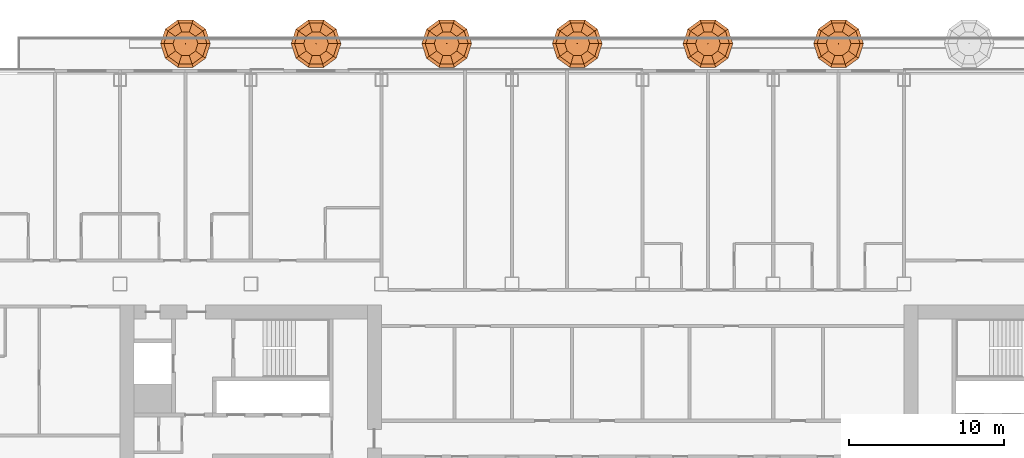
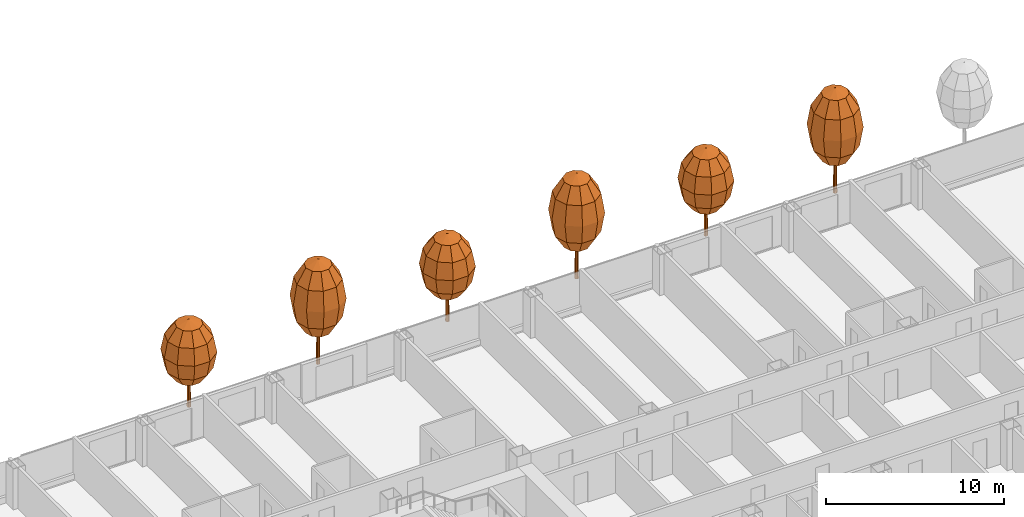
# One storey, part 33 of 34: 6 geographic elements.
"""IFC4 building model written with IfcOpenShell, lengths in metres."""

from ifc_helpers import new_model, si_unit, direction, frame, origin, place, context, subcontext, project, spatial, triangles, material, type_object, element, save


model = new_model("IFC4")

# Units and contexts
model_context = context("Model", 3, precision=1e-05, world=origin(), true_north=direction((0.0, 1.0)))
body_context = subcontext(model_context, "Body", "Model", "MODEL_VIEW")
ifc_project = project(units=[si_unit("LENGTHUNIT", "METRE"), si_unit("AREAUNIT", "SQUARE_METRE"), si_unit("VOLUMEUNIT", "CUBIC_METRE"), si_unit("PLANEANGLEUNIT", "RADIAN"), si_unit("MASSUNIT", "GRAM", prefix="KILO")], contexts=[model_context])

# Site, building, storey
site_placement = place(None, origin())
site = spatial("IfcSite", under=ifc_project, at=site_placement, CompositionType="ELEMENT")
building_placement = place(site_placement, origin())
building = spatial("IfcBuilding", under=site, at=building_placement, Name="Hakoniwa Tower and Hamabe Station Hall", CompositionType="ELEMENT")
storey_placement = place(building_placement, frame((0.0, 0.0, 94.60009765625)))
storey = spatial("IfcBuildingStorey", under=building, at=storey_placement, Name="L26", CompositionType="ELEMENT", Elevation=94.60009765625)

# Geographic elements
ifc_material_1 = material(Name="Tree foliage")
geographic_element_type_1 = type_object("IfcGeographicElementType", Name="Japanese maple 7.2 m", PredefinedType="USERDEFINED", material=ifc_material_1)
geographic_element_1_placement = place(storey_placement, frame((-21.0, 25.199951171875, 0.89990234375)))
element("IfcGeographicElement", 1, at=geographic_element_1_placement, inside=storey, type_object=geographic_element_type_1, Name="Japanese maple 7-2 m", ObjectType="TREE", PredefinedType="USERDEFINED", context=body_context, shape_type="Tessellation", body=[
    triangles([(0.125, 0.0, 0.0), (0.08837890625, 0.08837890625, 0.0), (0.0, 0.125, 0.0), (-0.08837890625, 0.08837890625, 0.0), (-0.125, 0.0, 0.0), (-0.08837890625, -0.08837890625, 0.0), (0.0, -0.125, 0.0), (0.08837890625, -0.08837890625, 0.0), (0.074951171875, 0.0, 4.348876953125), (0.052978515625, 0.052978515625, 4.348876953125), (0.0, 0.074951171875, 4.348876953125), (-0.052978515625, 0.052978515625, 4.348876953125), (-0.074951171875, 0.0, 4.348876953125), (-0.052978515625, -0.052978515625, 4.348876953125), (0.0, -0.074951171875, 4.348876953125), (0.052978515625, -0.052978515625, 4.348876953125), (0.0, 0.0, 0.0), (0.0, 0.0, 4.348876953125)], [[1, 2, 10], [1, 10, 9], [17, 2, 1], [18, 9, 10], [2, 3, 11], [2, 11, 10], [17, 3, 2], [18, 10, 11], [3, 4, 12], [3, 12, 11], [17, 4, 3], [18, 11, 12], [4, 5, 13], [4, 13, 12], [17, 5, 4], [18, 12, 13], [5, 6, 14], [5, 14, 13], [17, 6, 5], [18, 13, 14], [6, 7, 15], [6, 15, 14], [17, 7, 6], [18, 14, 15], [7, 8, 16], [7, 16, 15], [17, 8, 7], [18, 15, 16], [8, 1, 9], [8, 9, 16], [17, 1, 8], [18, 16, 9]], closed=True),
    triangles([(0.0, 0.0, 2.015869140625), (0.800048828125, 0.0, 2.36328125), (0.647216796875, 0.47021484375, 2.36328125), (0.247314453125, 0.7607421875, 2.36328125), (-0.247314453125, 0.7607421875, 2.36328125), (-0.647216796875, 0.47021484375, 2.36328125), (-0.800048828125, 0.0, 2.36328125), (-0.647216796875, -0.47021484375, 2.36328125), (-0.247314453125, -0.7607421875, 2.36328125), (0.247314453125, -0.7607421875, 2.36328125), (0.647216796875, -0.47021484375, 2.36328125), (1.385498046875, 0.0, 3.31201171875), (1.12109375, 0.814453125, 3.31201171875), (0.42822265625, 1.31787109375, 3.31201171875), (-0.42822265625, 1.31787109375, 3.31201171875), (-1.12109375, 0.814453125, 3.31201171875), (-1.385498046875, 0.0, 3.31201171875), (-1.12109375, -0.814453125, 3.31201171875), (-0.42822265625, -1.31787109375, 3.31201171875), (0.42822265625, -1.31787109375, 3.31201171875), (1.12109375, -0.814453125, 3.31201171875), (1.60009765625, 0.0, 4.60791015625), (1.29443359375, 0.9404296875, 4.60791015625), (0.494384765625, 1.521728515625, 4.60791015625), (-0.494384765625, 1.521728515625, 4.60791015625), (-1.29443359375, 0.9404296875, 4.60791015625), (-1.60009765625, 0.0, 4.60791015625), (-1.29443359375, -0.9404296875, 4.60791015625), (-0.494384765625, -1.521728515625, 4.60791015625), (0.494384765625, -1.521728515625, 4.60791015625), (1.29443359375, -0.9404296875, 4.60791015625), (1.385498046875, 0.0, 5.904052734375), (1.12109375, 0.814453125, 5.904052734375), (0.42822265625, 1.31787109375, 5.904052734375), (-0.42822265625, 1.31787109375, 5.904052734375), (-1.12109375, 0.814453125, 5.904052734375), (-1.385498046875, 0.0, 5.904052734375), (-1.12109375, -0.814453125, 5.904052734375), (-0.42822265625, -1.31787109375, 5.904052734375), (0.42822265625, -1.31787109375, 5.904052734375), (1.12109375, -0.814453125, 5.904052734375), (0.800048828125, 0.0, 6.852783203125), (0.647216796875, 0.47021484375, 6.852783203125), (0.247314453125, 0.7607421875, 6.852783203125), (-0.247314453125, 0.7607421875, 6.852783203125), (-0.647216796875, 0.47021484375, 6.852783203125), (-0.800048828125, 0.0, 6.852783203125), (-0.647216796875, -0.47021484375, 6.852783203125), (-0.247314453125, -0.7607421875, 6.852783203125), (0.247314453125, -0.7607421875, 6.852783203125), (0.647216796875, -0.47021484375, 6.852783203125), (0.0, 0.0, 7.199951171875)], [[1, 3, 2], [1, 4, 3], [1, 5, 4], [1, 6, 5], [1, 7, 6], [1, 8, 7], [1, 9, 8], [1, 10, 9], [1, 11, 10], [1, 2, 11], [2, 3, 13], [2, 13, 12], [3, 4, 14], [3, 14, 13], [4, 5, 15], [4, 15, 14], [5, 6, 16], [5, 16, 15], [6, 7, 17], [6, 17, 16], [7, 8, 18], [7, 18, 17], [8, 9, 19], [8, 19, 18], [9, 10, 20], [9, 20, 19], [10, 11, 21], [10, 21, 20], [11, 2, 12], [11, 12, 21], [12, 13, 23], [12, 23, 22], [13, 14, 24], [13, 24, 23], [14, 15, 25], [14, 25, 24], [15, 16, 26], [15, 26, 25], [16, 17, 27], [16, 27, 26], [17, 18, 28], [17, 28, 27], [18, 19, 29], [18, 29, 28], [19, 20, 30], [19, 30, 29], [20, 21, 31], [20, 31, 30], [21, 12, 22], [21, 22, 31], [22, 23, 33], [22, 33, 32], [23, 24, 34], [23, 34, 33], [24, 25, 35], [24, 35, 34], [25, 26, 36], [25, 36, 35], [26, 27, 37], [26, 37, 36], [27, 28, 38], [27, 38, 37], [28, 29, 39], [28, 39, 38], [29, 30, 40], [29, 40, 39], [30, 31, 41], [30, 41, 40], [31, 22, 32], [31, 32, 41], [32, 33, 43], [32, 43, 42], [33, 34, 44], [33, 44, 43], [34, 35, 45], [34, 45, 44], [35, 36, 46], [35, 46, 45], [36, 37, 47], [36, 47, 46], [37, 38, 48], [37, 48, 47], [38, 39, 49], [38, 49, 48], [39, 40, 50], [39, 50, 49], [40, 41, 51], [40, 51, 50], [41, 32, 42], [41, 42, 51], [52, 42, 43], [52, 43, 44], [52, 44, 45], [52, 45, 46], [52, 46, 47], [52, 47, 48], [52, 48, 49], [52, 49, 50], [52, 50, 51], [52, 51, 42]], closed=True),
])
geographic_element_2_placement = place(storey_placement, frame((-4.199951171875, 25.199951171875, 0.89990234375)))
element("IfcGeographicElement", 2, at=geographic_element_2_placement, inside=storey, type_object=geographic_element_type_1, Name="Japanese maple 7-2 m", ObjectType="TREE", PredefinedType="USERDEFINED", context=body_context, shape_type="Tessellation", body=[
    triangles([(0.125, 0.0, 0.0), (0.08837890625, 0.08837890625, 0.0), (0.0, 0.125, 0.0), (-0.08837890625, 0.08837890625, 0.0), (-0.125, 0.0, 0.0), (-0.08837890625, -0.08837890625, 0.0), (0.0, -0.125, 0.0), (0.08837890625, -0.08837890625, 0.0), (0.074951171875, 0.0, 4.348876953125), (0.052978515625, 0.052978515625, 4.348876953125), (0.0, 0.074951171875, 4.348876953125), (-0.052978515625, 0.052978515625, 4.348876953125), (-0.074951171875, 0.0, 4.348876953125), (-0.052978515625, -0.052978515625, 4.348876953125), (0.0, -0.074951171875, 4.348876953125), (0.052978515625, -0.052978515625, 4.348876953125), (0.0, 0.0, 0.0), (0.0, 0.0, 4.348876953125)], [[1, 2, 10], [1, 10, 9], [17, 2, 1], [18, 9, 10], [2, 3, 11], [2, 11, 10], [17, 3, 2], [18, 10, 11], [3, 4, 12], [3, 12, 11], [17, 4, 3], [18, 11, 12], [4, 5, 13], [4, 13, 12], [17, 5, 4], [18, 12, 13], [5, 6, 14], [5, 14, 13], [17, 6, 5], [18, 13, 14], [6, 7, 15], [6, 15, 14], [17, 7, 6], [18, 14, 15], [7, 8, 16], [7, 16, 15], [17, 8, 7], [18, 15, 16], [8, 1, 9], [8, 9, 16], [17, 1, 8], [18, 16, 9]], closed=True),
    triangles([(0.0, 0.0, 2.015869140625), (0.800048828125, 0.0, 2.36328125), (0.647216796875, 0.47021484375, 2.36328125), (0.247314453125, 0.7607421875, 2.36328125), (-0.247314453125, 0.7607421875, 2.36328125), (-0.647216796875, 0.47021484375, 2.36328125), (-0.800048828125, 0.0, 2.36328125), (-0.647216796875, -0.47021484375, 2.36328125), (-0.247314453125, -0.7607421875, 2.36328125), (0.247314453125, -0.7607421875, 2.36328125), (0.647216796875, -0.47021484375, 2.36328125), (1.385498046875, 0.0, 3.31201171875), (1.12109375, 0.814453125, 3.31201171875), (0.42822265625, 1.31787109375, 3.31201171875), (-0.42822265625, 1.31787109375, 3.31201171875), (-1.12109375, 0.814453125, 3.31201171875), (-1.385498046875, 0.0, 3.31201171875), (-1.12109375, -0.814453125, 3.31201171875), (-0.42822265625, -1.31787109375, 3.31201171875), (0.42822265625, -1.31787109375, 3.31201171875), (1.12109375, -0.814453125, 3.31201171875), (1.60009765625, 0.0, 4.60791015625), (1.29443359375, 0.9404296875, 4.60791015625), (0.494384765625, 1.521728515625, 4.60791015625), (-0.494384765625, 1.521728515625, 4.60791015625), (-1.29443359375, 0.9404296875, 4.60791015625), (-1.60009765625, 0.0, 4.60791015625), (-1.29443359375, -0.9404296875, 4.60791015625), (-0.494384765625, -1.521728515625, 4.60791015625), (0.494384765625, -1.521728515625, 4.60791015625), (1.29443359375, -0.9404296875, 4.60791015625), (1.385498046875, 0.0, 5.904052734375), (1.12109375, 0.814453125, 5.904052734375), (0.42822265625, 1.31787109375, 5.904052734375), (-0.42822265625, 1.31787109375, 5.904052734375), (-1.12109375, 0.814453125, 5.904052734375), (-1.385498046875, 0.0, 5.904052734375), (-1.12109375, -0.814453125, 5.904052734375), (-0.42822265625, -1.31787109375, 5.904052734375), (0.42822265625, -1.31787109375, 5.904052734375), (1.12109375, -0.814453125, 5.904052734375), (0.800048828125, 0.0, 6.852783203125), (0.647216796875, 0.47021484375, 6.852783203125), (0.247314453125, 0.7607421875, 6.852783203125), (-0.247314453125, 0.7607421875, 6.852783203125), (-0.647216796875, 0.47021484375, 6.852783203125), (-0.800048828125, 0.0, 6.852783203125), (-0.647216796875, -0.47021484375, 6.852783203125), (-0.247314453125, -0.7607421875, 6.852783203125), (0.247314453125, -0.7607421875, 6.852783203125), (0.647216796875, -0.47021484375, 6.852783203125), (0.0, 0.0, 7.199951171875)], [[1, 3, 2], [1, 4, 3], [1, 5, 4], [1, 6, 5], [1, 7, 6], [1, 8, 7], [1, 9, 8], [1, 10, 9], [1, 11, 10], [1, 2, 11], [2, 3, 13], [2, 13, 12], [3, 4, 14], [3, 14, 13], [4, 5, 15], [4, 15, 14], [5, 6, 16], [5, 16, 15], [6, 7, 17], [6, 17, 16], [7, 8, 18], [7, 18, 17], [8, 9, 19], [8, 19, 18], [9, 10, 20], [9, 20, 19], [10, 11, 21], [10, 21, 20], [11, 2, 12], [11, 12, 21], [12, 13, 23], [12, 23, 22], [13, 14, 24], [13, 24, 23], [14, 15, 25], [14, 25, 24], [15, 16, 26], [15, 26, 25], [16, 17, 27], [16, 27, 26], [17, 18, 28], [17, 28, 27], [18, 19, 29], [18, 29, 28], [19, 20, 30], [19, 30, 29], [20, 21, 31], [20, 31, 30], [21, 12, 22], [21, 22, 31], [22, 23, 33], [22, 33, 32], [23, 24, 34], [23, 34, 33], [24, 25, 35], [24, 35, 34], [25, 26, 36], [25, 36, 35], [26, 27, 37], [26, 37, 36], [27, 28, 38], [27, 38, 37], [28, 29, 39], [28, 39, 38], [29, 30, 40], [29, 40, 39], [30, 31, 41], [30, 41, 40], [31, 22, 32], [31, 32, 41], [32, 33, 43], [32, 43, 42], [33, 34, 44], [33, 44, 43], [34, 35, 45], [34, 45, 44], [35, 36, 46], [35, 46, 45], [36, 37, 47], [36, 47, 46], [37, 38, 48], [37, 48, 47], [38, 39, 49], [38, 49, 48], [39, 40, 50], [39, 50, 49], [40, 41, 51], [40, 51, 50], [41, 32, 42], [41, 42, 51], [52, 42, 43], [52, 43, 44], [52, 44, 45], [52, 45, 46], [52, 46, 47], [52, 47, 48], [52, 48, 49], [52, 49, 50], [52, 50, 51], [52, 51, 42]], closed=True),
])
geographic_element_3_placement = place(storey_placement, frame((12.60009765625, 25.199951171875, 0.89990234375)))
element("IfcGeographicElement", 3, at=geographic_element_3_placement, inside=storey, type_object=geographic_element_type_1, Name="Japanese maple 7-2 m", ObjectType="TREE", PredefinedType="USERDEFINED", context=body_context, shape_type="Tessellation", body=[
    triangles([(0.125, 0.0, 0.0), (0.08837890625, 0.08837890625, 0.0), (0.0, 0.125, 0.0), (-0.08837890625, 0.08837890625, 0.0), (-0.125, 0.0, 0.0), (-0.08837890625, -0.08837890625, 0.0), (0.0, -0.125, 0.0), (0.08837890625, -0.08837890625, 0.0), (0.074951171875, 0.0, 4.348876953125), (0.052978515625, 0.052978515625, 4.348876953125), (0.0, 0.074951171875, 4.348876953125), (-0.052978515625, 0.052978515625, 4.348876953125), (-0.074951171875, 0.0, 4.348876953125), (-0.052978515625, -0.052978515625, 4.348876953125), (0.0, -0.074951171875, 4.348876953125), (0.052978515625, -0.052978515625, 4.348876953125), (0.0, 0.0, 0.0), (0.0, 0.0, 4.348876953125)], [[1, 2, 10], [1, 10, 9], [17, 2, 1], [18, 9, 10], [2, 3, 11], [2, 11, 10], [17, 3, 2], [18, 10, 11], [3, 4, 12], [3, 12, 11], [17, 4, 3], [18, 11, 12], [4, 5, 13], [4, 13, 12], [17, 5, 4], [18, 12, 13], [5, 6, 14], [5, 14, 13], [17, 6, 5], [18, 13, 14], [6, 7, 15], [6, 15, 14], [17, 7, 6], [18, 14, 15], [7, 8, 16], [7, 16, 15], [17, 8, 7], [18, 15, 16], [8, 1, 9], [8, 9, 16], [17, 1, 8], [18, 16, 9]], closed=True),
    triangles([(0.0, 0.0, 2.015869140625), (0.800048828125, 0.0, 2.36328125), (0.647216796875, 0.47021484375, 2.36328125), (0.247314453125, 0.7607421875, 2.36328125), (-0.247314453125, 0.7607421875, 2.36328125), (-0.647216796875, 0.47021484375, 2.36328125), (-0.800048828125, 0.0, 2.36328125), (-0.647216796875, -0.47021484375, 2.36328125), (-0.247314453125, -0.7607421875, 2.36328125), (0.247314453125, -0.7607421875, 2.36328125), (0.647216796875, -0.47021484375, 2.36328125), (1.385498046875, 0.0, 3.31201171875), (1.12109375, 0.814453125, 3.31201171875), (0.42822265625, 1.31787109375, 3.31201171875), (-0.42822265625, 1.31787109375, 3.31201171875), (-1.12109375, 0.814453125, 3.31201171875), (-1.385498046875, 0.0, 3.31201171875), (-1.12109375, -0.814453125, 3.31201171875), (-0.42822265625, -1.31787109375, 3.31201171875), (0.42822265625, -1.31787109375, 3.31201171875), (1.12109375, -0.814453125, 3.31201171875), (1.60009765625, 0.0, 4.60791015625), (1.29443359375, 0.9404296875, 4.60791015625), (0.494384765625, 1.521728515625, 4.60791015625), (-0.494384765625, 1.521728515625, 4.60791015625), (-1.29443359375, 0.9404296875, 4.60791015625), (-1.60009765625, 0.0, 4.60791015625), (-1.29443359375, -0.9404296875, 4.60791015625), (-0.494384765625, -1.521728515625, 4.60791015625), (0.494384765625, -1.521728515625, 4.60791015625), (1.29443359375, -0.9404296875, 4.60791015625), (1.385498046875, 0.0, 5.904052734375), (1.12109375, 0.814453125, 5.904052734375), (0.42822265625, 1.31787109375, 5.904052734375), (-0.42822265625, 1.31787109375, 5.904052734375), (-1.12109375, 0.814453125, 5.904052734375), (-1.385498046875, 0.0, 5.904052734375), (-1.12109375, -0.814453125, 5.904052734375), (-0.42822265625, -1.31787109375, 5.904052734375), (0.42822265625, -1.31787109375, 5.904052734375), (1.12109375, -0.814453125, 5.904052734375), (0.800048828125, 0.0, 6.852783203125), (0.647216796875, 0.47021484375, 6.852783203125), (0.247314453125, 0.7607421875, 6.852783203125), (-0.247314453125, 0.7607421875, 6.852783203125), (-0.647216796875, 0.47021484375, 6.852783203125), (-0.800048828125, 0.0, 6.852783203125), (-0.647216796875, -0.47021484375, 6.852783203125), (-0.247314453125, -0.7607421875, 6.852783203125), (0.247314453125, -0.7607421875, 6.852783203125), (0.647216796875, -0.47021484375, 6.852783203125), (0.0, 0.0, 7.199951171875)], [[1, 3, 2], [1, 4, 3], [1, 5, 4], [1, 6, 5], [1, 7, 6], [1, 8, 7], [1, 9, 8], [1, 10, 9], [1, 11, 10], [1, 2, 11], [2, 3, 13], [2, 13, 12], [3, 4, 14], [3, 14, 13], [4, 5, 15], [4, 15, 14], [5, 6, 16], [5, 16, 15], [6, 7, 17], [6, 17, 16], [7, 8, 18], [7, 18, 17], [8, 9, 19], [8, 19, 18], [9, 10, 20], [9, 20, 19], [10, 11, 21], [10, 21, 20], [11, 2, 12], [11, 12, 21], [12, 13, 23], [12, 23, 22], [13, 14, 24], [13, 24, 23], [14, 15, 25], [14, 25, 24], [15, 16, 26], [15, 26, 25], [16, 17, 27], [16, 27, 26], [17, 18, 28], [17, 28, 27], [18, 19, 29], [18, 29, 28], [19, 20, 30], [19, 30, 29], [20, 21, 31], [20, 31, 30], [21, 12, 22], [21, 22, 31], [22, 23, 33], [22, 33, 32], [23, 24, 34], [23, 34, 33], [24, 25, 35], [24, 35, 34], [25, 26, 36], [25, 36, 35], [26, 27, 37], [26, 37, 36], [27, 28, 38], [27, 38, 37], [28, 29, 39], [28, 39, 38], [29, 30, 40], [29, 40, 39], [30, 31, 41], [30, 41, 40], [31, 22, 32], [31, 32, 41], [32, 33, 43], [32, 43, 42], [33, 34, 44], [33, 44, 43], [34, 35, 45], [34, 45, 44], [35, 36, 46], [35, 46, 45], [36, 37, 47], [36, 47, 46], [37, 38, 48], [37, 48, 47], [38, 39, 49], [38, 49, 48], [39, 40, 50], [39, 50, 49], [40, 41, 51], [40, 51, 50], [41, 32, 42], [41, 42, 51], [52, 42, 43], [52, 43, 44], [52, 44, 45], [52, 45, 46], [52, 46, 47], [52, 47, 48], [52, 48, 49], [52, 49, 50], [52, 50, 51], [52, 51, 42]], closed=True),
])
ifc_material_2 = material(Name="Tree foliage")
geographic_element_type_2 = type_object("IfcGeographicElementType", Name="Osmanthus 6.0 m", PredefinedType="USERDEFINED", material=ifc_material_2)
geographic_element_4_placement = place(storey_placement, frame((-29.39990234375, 25.199951171875, 0.89990234375)))
element("IfcGeographicElement", 4, at=geographic_element_4_placement, inside=storey, type_object=geographic_element_type_2, Name="Osmanthus 6-0 m", ObjectType="TREE", PredefinedType="USERDEFINED", context=body_context, shape_type="Tessellation", body=[
    triangles([(0.125, 0.0, 0.0), (0.08837890625, 0.08837890625, 0.0), (0.0, 0.125, 0.0), (-0.08837890625, 0.08837890625, 0.0), (-0.125, 0.0, 0.0), (-0.08837890625, -0.08837890625, 0.0), (0.0, -0.125, 0.0), (0.08837890625, -0.08837890625, 0.0), (0.074951171875, 0.0, 3.6240234375), (0.052978515625, 0.052978515625, 3.6240234375), (0.0, 0.074951171875, 3.6240234375), (-0.052978515625, 0.052978515625, 3.6240234375), (-0.074951171875, 0.0, 3.6240234375), (-0.052978515625, -0.052978515625, 3.6240234375), (0.0, -0.074951171875, 3.6240234375), (0.052978515625, -0.052978515625, 3.6240234375), (0.0, 0.0, 0.0), (0.0, 0.0, 3.6240234375)], [[1, 2, 10], [1, 10, 9], [17, 2, 1], [18, 9, 10], [2, 3, 11], [2, 11, 10], [17, 3, 2], [18, 10, 11], [3, 4, 12], [3, 12, 11], [17, 4, 3], [18, 11, 12], [4, 5, 13], [4, 13, 12], [17, 5, 4], [18, 12, 13], [5, 6, 14], [5, 14, 13], [17, 6, 5], [18, 13, 14], [6, 7, 15], [6, 15, 14], [17, 7, 6], [18, 14, 15], [7, 8, 16], [7, 16, 15], [17, 8, 7], [18, 15, 16], [8, 1, 9], [8, 9, 16], [17, 1, 8], [18, 16, 9]], closed=True),
    triangles([(0.0, 0.0, 1.679931640625), (0.800048828125, 0.0, 1.969482421875), (0.647216796875, 0.47021484375, 1.969482421875), (0.247314453125, 0.7607421875, 1.969482421875), (-0.247314453125, 0.7607421875, 1.969482421875), (-0.647216796875, 0.47021484375, 1.969482421875), (-0.800048828125, 0.0, 1.969482421875), (-0.647216796875, -0.47021484375, 1.969482421875), (-0.247314453125, -0.7607421875, 1.969482421875), (0.247314453125, -0.7607421875, 1.969482421875), (0.647216796875, -0.47021484375, 1.969482421875), (1.385498046875, 0.0, 2.760009765625), (1.12109375, 0.814453125, 2.760009765625), (0.42822265625, 1.31787109375, 2.760009765625), (-0.42822265625, 1.31787109375, 2.760009765625), (-1.12109375, 0.814453125, 2.760009765625), (-1.385498046875, 0.0, 2.760009765625), (-1.12109375, -0.814453125, 2.760009765625), (-0.42822265625, -1.31787109375, 2.760009765625), (0.42822265625, -1.31787109375, 2.760009765625), (1.12109375, -0.814453125, 2.760009765625), (1.60009765625, 0.0, 3.840087890625), (1.29443359375, 0.9404296875, 3.840087890625), (0.494384765625, 1.521728515625, 3.840087890625), (-0.494384765625, 1.521728515625, 3.840087890625), (-1.29443359375, 0.9404296875, 3.840087890625), (-1.60009765625, 0.0, 3.840087890625), (-1.29443359375, -0.9404296875, 3.840087890625), (-0.494384765625, -1.521728515625, 3.840087890625), (0.494384765625, -1.521728515625, 3.840087890625), (1.29443359375, -0.9404296875, 3.840087890625), (1.385498046875, 0.0, 4.919921875), (1.12109375, 0.814453125, 4.919921875), (0.42822265625, 1.31787109375, 4.919921875), (-0.42822265625, 1.31787109375, 4.919921875), (-1.12109375, 0.814453125, 4.919921875), (-1.385498046875, 0.0, 4.919921875), (-1.12109375, -0.814453125, 4.919921875), (-0.42822265625, -1.31787109375, 4.919921875), (0.42822265625, -1.31787109375, 4.919921875), (1.12109375, -0.814453125, 4.919921875), (0.800048828125, 0.0, 5.710693359375), (0.647216796875, 0.47021484375, 5.710693359375), (0.247314453125, 0.7607421875, 5.710693359375), (-0.247314453125, 0.7607421875, 5.710693359375), (-0.647216796875, 0.47021484375, 5.710693359375), (-0.800048828125, 0.0, 5.710693359375), (-0.647216796875, -0.47021484375, 5.710693359375), (-0.247314453125, -0.7607421875, 5.710693359375), (0.247314453125, -0.7607421875, 5.710693359375), (0.647216796875, -0.47021484375, 5.710693359375), (0.0, 0.0, 6.0)], [[1, 3, 2], [1, 4, 3], [1, 5, 4], [1, 6, 5], [1, 7, 6], [1, 8, 7], [1, 9, 8], [1, 10, 9], [1, 11, 10], [1, 2, 11], [2, 3, 13], [2, 13, 12], [3, 4, 14], [3, 14, 13], [4, 5, 15], [4, 15, 14], [5, 6, 16], [5, 16, 15], [6, 7, 17], [6, 17, 16], [7, 8, 18], [7, 18, 17], [8, 9, 19], [8, 19, 18], [9, 10, 20], [9, 20, 19], [10, 11, 21], [10, 21, 20], [11, 2, 12], [11, 12, 21], [12, 13, 23], [12, 23, 22], [13, 14, 24], [13, 24, 23], [14, 15, 25], [14, 25, 24], [15, 16, 26], [15, 26, 25], [16, 17, 27], [16, 27, 26], [17, 18, 28], [17, 28, 27], [18, 19, 29], [18, 29, 28], [19, 20, 30], [19, 30, 29], [20, 21, 31], [20, 31, 30], [21, 12, 22], [21, 22, 31], [22, 23, 33], [22, 33, 32], [23, 24, 34], [23, 34, 33], [24, 25, 35], [24, 35, 34], [25, 26, 36], [25, 36, 35], [26, 27, 37], [26, 37, 36], [27, 28, 38], [27, 38, 37], [28, 29, 39], [28, 39, 38], [29, 30, 40], [29, 40, 39], [30, 31, 41], [30, 41, 40], [31, 22, 32], [31, 32, 41], [32, 33, 43], [32, 43, 42], [33, 34, 44], [33, 44, 43], [34, 35, 45], [34, 45, 44], [35, 36, 46], [35, 46, 45], [36, 37, 47], [36, 47, 46], [37, 38, 48], [37, 48, 47], [38, 39, 49], [38, 49, 48], [39, 40, 50], [39, 50, 49], [40, 41, 51], [40, 51, 50], [41, 32, 42], [41, 42, 51], [52, 42, 43], [52, 43, 44], [52, 44, 45], [52, 45, 46], [52, 46, 47], [52, 47, 48], [52, 48, 49], [52, 49, 50], [52, 50, 51], [52, 51, 42]], closed=True),
])
geographic_element_5_placement = place(storey_placement, frame((-12.60009765625, 25.199951171875, 0.89990234375)))
element("IfcGeographicElement", 5, at=geographic_element_5_placement, inside=storey, type_object=geographic_element_type_2, Name="Osmanthus 6-0 m", ObjectType="TREE", PredefinedType="USERDEFINED", context=body_context, shape_type="Tessellation", body=[
    triangles([(0.125, 0.0, 0.0), (0.08837890625, 0.08837890625, 0.0), (0.0, 0.125, 0.0), (-0.08837890625, 0.08837890625, 0.0), (-0.125, 0.0, 0.0), (-0.08837890625, -0.08837890625, 0.0), (0.0, -0.125, 0.0), (0.08837890625, -0.08837890625, 0.0), (0.074951171875, 0.0, 3.6240234375), (0.052978515625, 0.052978515625, 3.6240234375), (0.0, 0.074951171875, 3.6240234375), (-0.052978515625, 0.052978515625, 3.6240234375), (-0.074951171875, 0.0, 3.6240234375), (-0.052978515625, -0.052978515625, 3.6240234375), (0.0, -0.074951171875, 3.6240234375), (0.052978515625, -0.052978515625, 3.6240234375), (0.0, 0.0, 0.0), (0.0, 0.0, 3.6240234375)], [[1, 2, 10], [1, 10, 9], [17, 2, 1], [18, 9, 10], [2, 3, 11], [2, 11, 10], [17, 3, 2], [18, 10, 11], [3, 4, 12], [3, 12, 11], [17, 4, 3], [18, 11, 12], [4, 5, 13], [4, 13, 12], [17, 5, 4], [18, 12, 13], [5, 6, 14], [5, 14, 13], [17, 6, 5], [18, 13, 14], [6, 7, 15], [6, 15, 14], [17, 7, 6], [18, 14, 15], [7, 8, 16], [7, 16, 15], [17, 8, 7], [18, 15, 16], [8, 1, 9], [8, 9, 16], [17, 1, 8], [18, 16, 9]], closed=True),
    triangles([(0.0, 0.0, 1.679931640625), (0.800048828125, 0.0, 1.969482421875), (0.647216796875, 0.47021484375, 1.969482421875), (0.247314453125, 0.7607421875, 1.969482421875), (-0.247314453125, 0.7607421875, 1.969482421875), (-0.647216796875, 0.47021484375, 1.969482421875), (-0.800048828125, 0.0, 1.969482421875), (-0.647216796875, -0.47021484375, 1.969482421875), (-0.247314453125, -0.7607421875, 1.969482421875), (0.247314453125, -0.7607421875, 1.969482421875), (0.647216796875, -0.47021484375, 1.969482421875), (1.385498046875, 0.0, 2.760009765625), (1.12109375, 0.814453125, 2.760009765625), (0.42822265625, 1.31787109375, 2.760009765625), (-0.42822265625, 1.31787109375, 2.760009765625), (-1.12109375, 0.814453125, 2.760009765625), (-1.385498046875, 0.0, 2.760009765625), (-1.12109375, -0.814453125, 2.760009765625), (-0.42822265625, -1.31787109375, 2.760009765625), (0.42822265625, -1.31787109375, 2.760009765625), (1.12109375, -0.814453125, 2.760009765625), (1.60009765625, 0.0, 3.840087890625), (1.29443359375, 0.9404296875, 3.840087890625), (0.494384765625, 1.521728515625, 3.840087890625), (-0.494384765625, 1.521728515625, 3.840087890625), (-1.29443359375, 0.9404296875, 3.840087890625), (-1.60009765625, 0.0, 3.840087890625), (-1.29443359375, -0.9404296875, 3.840087890625), (-0.494384765625, -1.521728515625, 3.840087890625), (0.494384765625, -1.521728515625, 3.840087890625), (1.29443359375, -0.9404296875, 3.840087890625), (1.385498046875, 0.0, 4.919921875), (1.12109375, 0.814453125, 4.919921875), (0.42822265625, 1.31787109375, 4.919921875), (-0.42822265625, 1.31787109375, 4.919921875), (-1.12109375, 0.814453125, 4.919921875), (-1.385498046875, 0.0, 4.919921875), (-1.12109375, -0.814453125, 4.919921875), (-0.42822265625, -1.31787109375, 4.919921875), (0.42822265625, -1.31787109375, 4.919921875), (1.12109375, -0.814453125, 4.919921875), (0.800048828125, 0.0, 5.710693359375), (0.647216796875, 0.47021484375, 5.710693359375), (0.247314453125, 0.7607421875, 5.710693359375), (-0.247314453125, 0.7607421875, 5.710693359375), (-0.647216796875, 0.47021484375, 5.710693359375), (-0.800048828125, 0.0, 5.710693359375), (-0.647216796875, -0.47021484375, 5.710693359375), (-0.247314453125, -0.7607421875, 5.710693359375), (0.247314453125, -0.7607421875, 5.710693359375), (0.647216796875, -0.47021484375, 5.710693359375), (0.0, 0.0, 6.0)], [[1, 3, 2], [1, 4, 3], [1, 5, 4], [1, 6, 5], [1, 7, 6], [1, 8, 7], [1, 9, 8], [1, 10, 9], [1, 11, 10], [1, 2, 11], [2, 3, 13], [2, 13, 12], [3, 4, 14], [3, 14, 13], [4, 5, 15], [4, 15, 14], [5, 6, 16], [5, 16, 15], [6, 7, 17], [6, 17, 16], [7, 8, 18], [7, 18, 17], [8, 9, 19], [8, 19, 18], [9, 10, 20], [9, 20, 19], [10, 11, 21], [10, 21, 20], [11, 2, 12], [11, 12, 21], [12, 13, 23], [12, 23, 22], [13, 14, 24], [13, 24, 23], [14, 15, 25], [14, 25, 24], [15, 16, 26], [15, 26, 25], [16, 17, 27], [16, 27, 26], [17, 18, 28], [17, 28, 27], [18, 19, 29], [18, 29, 28], [19, 20, 30], [19, 30, 29], [20, 21, 31], [20, 31, 30], [21, 12, 22], [21, 22, 31], [22, 23, 33], [22, 33, 32], [23, 24, 34], [23, 34, 33], [24, 25, 35], [24, 35, 34], [25, 26, 36], [25, 36, 35], [26, 27, 37], [26, 37, 36], [27, 28, 38], [27, 38, 37], [28, 29, 39], [28, 39, 38], [29, 30, 40], [29, 40, 39], [30, 31, 41], [30, 41, 40], [31, 22, 32], [31, 32, 41], [32, 33, 43], [32, 43, 42], [33, 34, 44], [33, 44, 43], [34, 35, 45], [34, 45, 44], [35, 36, 46], [35, 46, 45], [36, 37, 47], [36, 47, 46], [37, 38, 48], [37, 48, 47], [38, 39, 49], [38, 49, 48], [39, 40, 50], [39, 50, 49], [40, 41, 51], [40, 51, 50], [41, 32, 42], [41, 42, 51], [52, 42, 43], [52, 43, 44], [52, 44, 45], [52, 45, 46], [52, 46, 47], [52, 47, 48], [52, 48, 49], [52, 49, 50], [52, 50, 51], [52, 51, 42]], closed=True),
])
geographic_element_6_placement = place(storey_placement, frame((4.199951171875, 25.199951171875, 0.89990234375)))
element("IfcGeographicElement", 6, at=geographic_element_6_placement, inside=storey, type_object=geographic_element_type_2, Name="Osmanthus 6-0 m", ObjectType="TREE", PredefinedType="USERDEFINED", context=body_context, shape_type="Tessellation", body=[
    triangles([(0.125, 0.0, 0.0), (0.08837890625, 0.08837890625, 0.0), (0.0, 0.125, 0.0), (-0.08837890625, 0.08837890625, 0.0), (-0.125, 0.0, 0.0), (-0.08837890625, -0.08837890625, 0.0), (0.0, -0.125, 0.0), (0.08837890625, -0.08837890625, 0.0), (0.074951171875, 0.0, 3.6240234375), (0.052978515625, 0.052978515625, 3.6240234375), (0.0, 0.074951171875, 3.6240234375), (-0.052978515625, 0.052978515625, 3.6240234375), (-0.074951171875, 0.0, 3.6240234375), (-0.052978515625, -0.052978515625, 3.6240234375), (0.0, -0.074951171875, 3.6240234375), (0.052978515625, -0.052978515625, 3.6240234375), (0.0, 0.0, 0.0), (0.0, 0.0, 3.6240234375)], [[1, 2, 10], [1, 10, 9], [17, 2, 1], [18, 9, 10], [2, 3, 11], [2, 11, 10], [17, 3, 2], [18, 10, 11], [3, 4, 12], [3, 12, 11], [17, 4, 3], [18, 11, 12], [4, 5, 13], [4, 13, 12], [17, 5, 4], [18, 12, 13], [5, 6, 14], [5, 14, 13], [17, 6, 5], [18, 13, 14], [6, 7, 15], [6, 15, 14], [17, 7, 6], [18, 14, 15], [7, 8, 16], [7, 16, 15], [17, 8, 7], [18, 15, 16], [8, 1, 9], [8, 9, 16], [17, 1, 8], [18, 16, 9]], closed=True),
    triangles([(0.0, 0.0, 1.679931640625), (0.800048828125, 0.0, 1.969482421875), (0.647216796875, 0.47021484375, 1.969482421875), (0.247314453125, 0.7607421875, 1.969482421875), (-0.247314453125, 0.7607421875, 1.969482421875), (-0.647216796875, 0.47021484375, 1.969482421875), (-0.800048828125, 0.0, 1.969482421875), (-0.647216796875, -0.47021484375, 1.969482421875), (-0.247314453125, -0.7607421875, 1.969482421875), (0.247314453125, -0.7607421875, 1.969482421875), (0.647216796875, -0.47021484375, 1.969482421875), (1.385498046875, 0.0, 2.760009765625), (1.12109375, 0.814453125, 2.760009765625), (0.42822265625, 1.31787109375, 2.760009765625), (-0.42822265625, 1.31787109375, 2.760009765625), (-1.12109375, 0.814453125, 2.760009765625), (-1.385498046875, 0.0, 2.760009765625), (-1.12109375, -0.814453125, 2.760009765625), (-0.42822265625, -1.31787109375, 2.760009765625), (0.42822265625, -1.31787109375, 2.760009765625), (1.12109375, -0.814453125, 2.760009765625), (1.60009765625, 0.0, 3.840087890625), (1.29443359375, 0.9404296875, 3.840087890625), (0.494384765625, 1.521728515625, 3.840087890625), (-0.494384765625, 1.521728515625, 3.840087890625), (-1.29443359375, 0.9404296875, 3.840087890625), (-1.60009765625, 0.0, 3.840087890625), (-1.29443359375, -0.9404296875, 3.840087890625), (-0.494384765625, -1.521728515625, 3.840087890625), (0.494384765625, -1.521728515625, 3.840087890625), (1.29443359375, -0.9404296875, 3.840087890625), (1.385498046875, 0.0, 4.919921875), (1.12109375, 0.814453125, 4.919921875), (0.42822265625, 1.31787109375, 4.919921875), (-0.42822265625, 1.31787109375, 4.919921875), (-1.12109375, 0.814453125, 4.919921875), (-1.385498046875, 0.0, 4.919921875), (-1.12109375, -0.814453125, 4.919921875), (-0.42822265625, -1.31787109375, 4.919921875), (0.42822265625, -1.31787109375, 4.919921875), (1.12109375, -0.814453125, 4.919921875), (0.800048828125, 0.0, 5.710693359375), (0.647216796875, 0.47021484375, 5.710693359375), (0.247314453125, 0.7607421875, 5.710693359375), (-0.247314453125, 0.7607421875, 5.710693359375), (-0.647216796875, 0.47021484375, 5.710693359375), (-0.800048828125, 0.0, 5.710693359375), (-0.647216796875, -0.47021484375, 5.710693359375), (-0.247314453125, -0.7607421875, 5.710693359375), (0.247314453125, -0.7607421875, 5.710693359375), (0.647216796875, -0.47021484375, 5.710693359375), (0.0, 0.0, 6.0)], [[1, 3, 2], [1, 4, 3], [1, 5, 4], [1, 6, 5], [1, 7, 6], [1, 8, 7], [1, 9, 8], [1, 10, 9], [1, 11, 10], [1, 2, 11], [2, 3, 13], [2, 13, 12], [3, 4, 14], [3, 14, 13], [4, 5, 15], [4, 15, 14], [5, 6, 16], [5, 16, 15], [6, 7, 17], [6, 17, 16], [7, 8, 18], [7, 18, 17], [8, 9, 19], [8, 19, 18], [9, 10, 20], [9, 20, 19], [10, 11, 21], [10, 21, 20], [11, 2, 12], [11, 12, 21], [12, 13, 23], [12, 23, 22], [13, 14, 24], [13, 24, 23], [14, 15, 25], [14, 25, 24], [15, 16, 26], [15, 26, 25], [16, 17, 27], [16, 27, 26], [17, 18, 28], [17, 28, 27], [18, 19, 29], [18, 29, 28], [19, 20, 30], [19, 30, 29], [20, 21, 31], [20, 31, 30], [21, 12, 22], [21, 22, 31], [22, 23, 33], [22, 33, 32], [23, 24, 34], [23, 34, 33], [24, 25, 35], [24, 35, 34], [25, 26, 36], [25, 36, 35], [26, 27, 37], [26, 37, 36], [27, 28, 38], [27, 38, 37], [28, 29, 39], [28, 39, 38], [29, 30, 40], [29, 40, 39], [30, 31, 41], [30, 41, 40], [31, 22, 32], [31, 32, 41], [32, 33, 43], [32, 43, 42], [33, 34, 44], [33, 44, 43], [34, 35, 45], [34, 45, 44], [35, 36, 46], [35, 46, 45], [36, 37, 47], [36, 47, 46], [37, 38, 48], [37, 48, 47], [38, 39, 49], [38, 49, 48], [39, 40, 50], [39, 50, 49], [40, 41, 51], [40, 51, 50], [41, 32, 42], [41, 42, 51], [52, 42, 43], [52, 43, 44], [52, 44, 45], [52, 45, 46], [52, 46, 47], [52, 47, 48], [52, 48, 49], [52, 49, 50], [52, 50, 51], [52, 51, 42]], closed=True),
])

save(model, "model.ifc")
